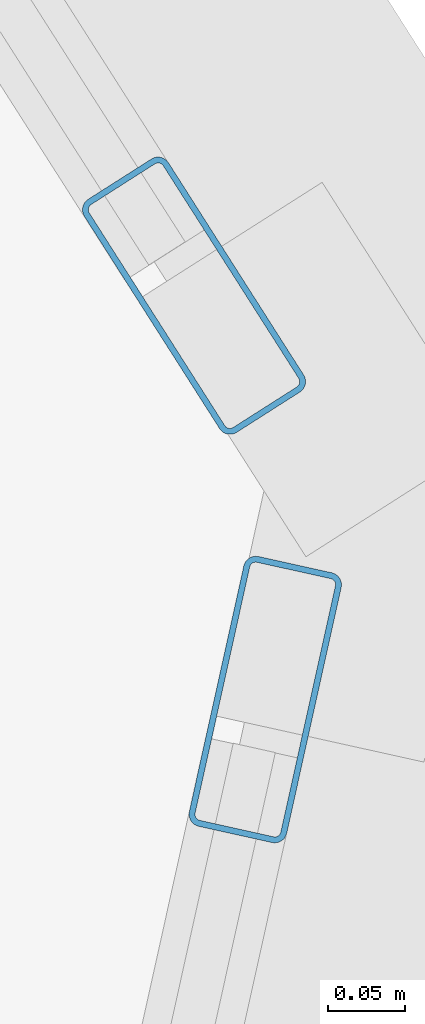
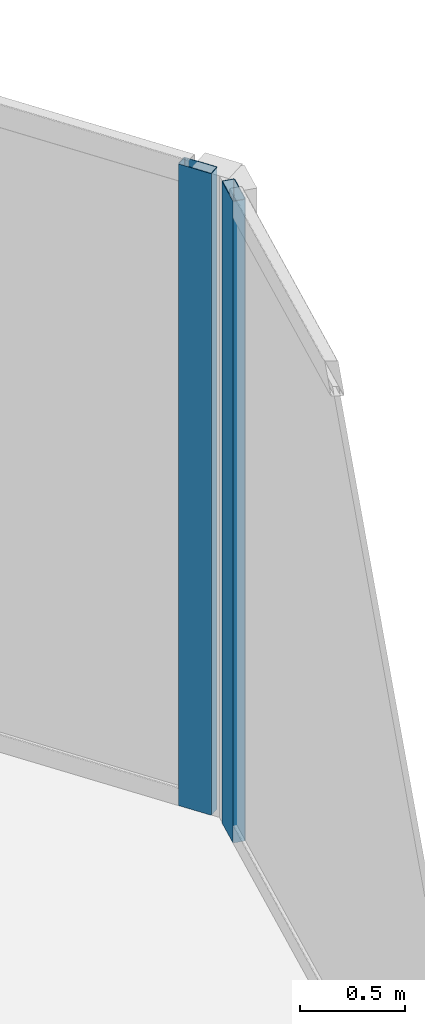
# One storey, part 12 of 25: 2 members, 2 elements without a shape of their own.
"""IFC4 building model written with IfcOpenShell, lengths in metres."""

from ifc_helpers import new_model, si_unit, direction, frame, origin, origin_2d, place, context, subcontext, project, spatial, hollow_rectangle, extrude, source, transform, mapped, material, material_profile, profile_set, type_object, element, aggregate, save


model = new_model("IFC4")

# Units and contexts
model_context = context("Model", 3, precision=1e-05, world=origin(), true_north=direction((0.0, 1.0)))
body_context = subcontext(model_context, "Body", "Model", "MODEL_VIEW")
ifc_project = project(units=[si_unit("LENGTHUNIT", "METRE"), si_unit("AREAUNIT", "SQUARE_METRE"), si_unit("VOLUMEUNIT", "CUBIC_METRE"), si_unit("PLANEANGLEUNIT", "RADIAN"), si_unit("MASSUNIT", "GRAM", prefix="KILO")], contexts=[model_context])

# Site, building, storey
site_placement = place(None, origin())
site = spatial("IfcSite", under=ifc_project, at=site_placement, CompositionType="ELEMENT")
building_placement = place(site_placement, origin())
building = spatial("IfcBuilding", under=site, at=building_placement, Name="Torre Montelarca", CompositionType="ELEMENT")
storey_placement = place(building_placement, frame((0.0, 0.0, 87.39990234375)))
storey = spatial("IfcBuildingStorey", under=building, at=storey_placement, Name="L19", CompositionType="ELEMENT", Elevation=87.39990234375)

# Curtain wall, member
ifc_material_1 = material(Name="Insulated low-E laminated glass", Category="glass")
curtain_wall_type = type_object("IfcCurtainWallType", Name="CW-SYS-Z1", PredefinedType="USERDEFINED", material=ifc_material_1)
curtain_wall_1_placement = place(storey_placement, origin())
curtain_wall_1 = element("IfcCurtainWall", 1, at=curtain_wall_1_placement, inside=storey, type_object=curtain_wall_type, Name="L19 Curtain Wall Run CW-T3-L19-E06-B1", ObjectType="UNITISED GLAZING", PredefinedType="USERDEFINED")
ifc_material_2 = material(Name="Anodised aluminium AA 6063-T6", Category="aluminium")
ifc_material_profile = material_profile(ifc_material_2, hollow_rectangle(XDim=0.06494140625, YDim=0.179931640625, WallThickness=0.00390625, InnerFilletRadius=0.00390625, OuterFilletRadius=0.008056640625, at=origin_2d()), Name="ALU65X180X4", Category="aluminium")
ifc_profile_set = profile_set([ifc_material_profile], Name="Anodised aluminium AA 6063-T6")
member_type = type_object("IfcMemberType", Name="CWM-ALU180", PredefinedType="MULLION", material=ifc_profile_set)
shared_shape = source(origin(), body_context, "Body", "SweptSolid", [
    extrude(hollow_rectangle(XDim=0.06494140625, YDim=0.179931640625, WallThickness=0.00390625, InnerFilletRadius=0.00390625, OuterFilletRadius=0.008056640625, at=origin_2d()), origin(), (0.0, 0.0, 1.0), 3.72021484375),
])
member_1_placement = place(storey_placement, frame((65.257568359375, 34.080078125, 0.0), z_axis=(0.0, 0.0, 1.0), x_axis=(-0.976295656956, 0.216441193422, 0.0)))
member_1 = element("IfcMember", 2, at=member_1_placement, type_object=member_type, Name="CW mullion 3", PredefinedType="MULLION", context=body_context, shape_type="MappedRepresentation", body=[
    mapped(shared_shape, transform((0.0, 0.0, 0.0), scale=1.0)),
])
aggregate(curtain_wall_1, [member_1])

curtain_wall_2_placement = place(storey_placement, origin())
curtain_wall_2 = element("IfcCurtainWall", 3, at=curtain_wall_2_placement, inside=storey, type_object=curtain_wall_type, Name="L19 Curtain Wall Run CW-T3-L19-E07-B1", ObjectType="UNITISED GLAZING", PredefinedType="USERDEFINED")
member_2_placement = place(storey_placement, frame((65.211181640625, 34.343017578125, 0.0), z_axis=(0.0, 0.0, 1.0), x_axis=(-0.843380828079, -0.537316274487, 0.0)))
member_2 = element("IfcMember", 4, at=member_2_placement, type_object=member_type, Name="CW mullion 1", PredefinedType="MULLION", context=body_context, shape_type="MappedRepresentation", body=[
    mapped(shared_shape, transform((0.0, 0.0, 0.0), scale=1.0)),
])
aggregate(curtain_wall_2, [member_2])

save(model, "model.ifc")
